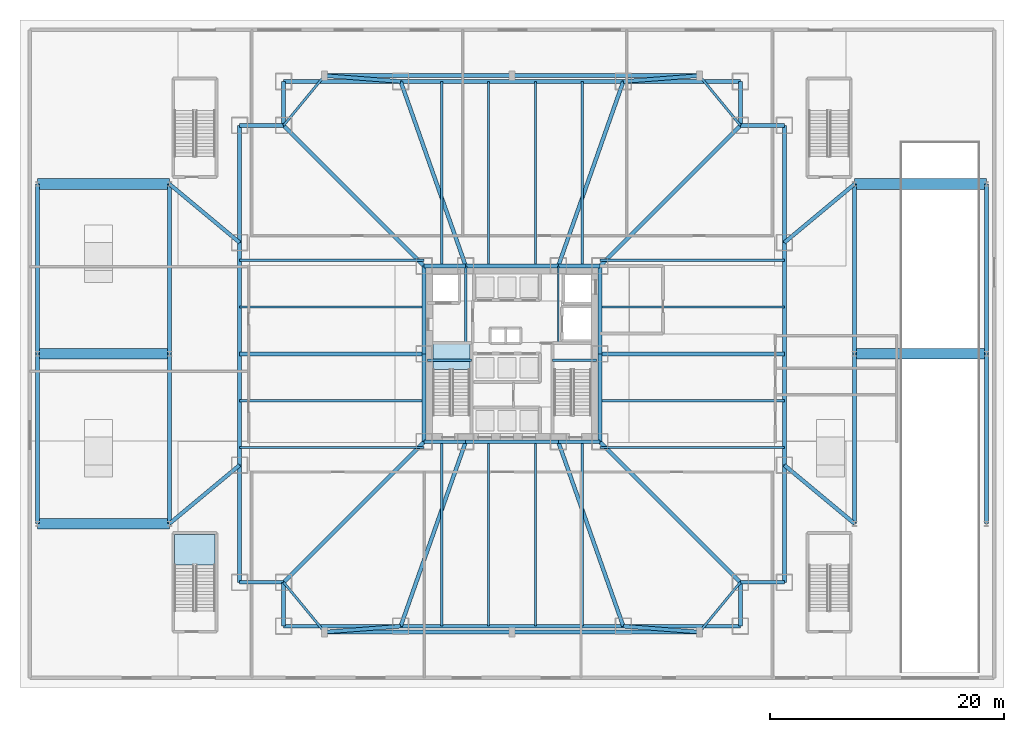
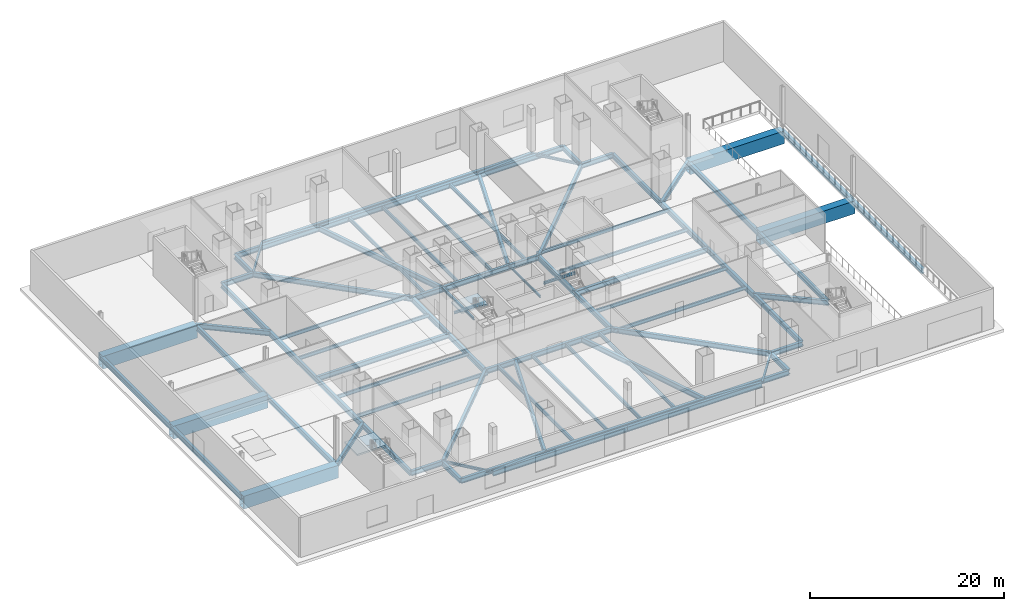
# One storey, part 4 of 24: 89 beams, 2 slabs, 2 elements without a shape of their own.
"""IFC4 building model written with IfcOpenShell, lengths in metres."""

from ifc_helpers import new_model, si_unit, direction, frame, origin, origin_2d, place, context, subcontext, project, spatial, polyline, hollow_rectangle, i_section, outline, extrude, material, layer, layer_set, material_profile, profile_set, type_object, element, aggregate, save


model = new_model("IFC4")

# Units and contexts
model_context = context("Model", 3, precision=1e-05, world=origin(), true_north=direction((0.0, 1.0)))
body_context = subcontext(model_context, "Body", "Model", "MODEL_VIEW")
ifc_project = project(units=[si_unit("LENGTHUNIT", "METRE"), si_unit("AREAUNIT", "SQUARE_METRE"), si_unit("VOLUMEUNIT", "CUBIC_METRE"), si_unit("PLANEANGLEUNIT", "RADIAN"), si_unit("MASSUNIT", "GRAM", prefix="KILO")], contexts=[model_context])

# Site, building, storey
site_placement = place(None, origin())
site = spatial("IfcSite", under=ifc_project, at=site_placement, CompositionType="ELEMENT")
building_placement = place(site_placement, origin())
building = spatial("IfcBuilding", under=site, at=building_placement, Name="Trevonay Congress Spire", CompositionType="ELEMENT")
storey_placement = place(building_placement, origin())
storey = spatial("IfcBuildingStorey", under=building, at=storey_placement, Name="L00", CompositionType="ELEMENT", Elevation=0.0)

# Beams
ifc_material_1 = material(Name="Steel ASTM A572 Grade 50", Category="steel")
ifc_material_profile_1 = material_profile(ifc_material_1, i_section(OverallWidth=0.324951171875, OverallDepth=0.615966796875, WebThickness=0.013916015625, FlangeThickness=0.021484375, FilletRadius=0.01806640625, at=origin_2d()), Name="W610x174")
ifc_profile_set_1 = profile_set([ifc_material_profile_1], Name="Steel ASTM A572 Grade 50")
beam_type_1 = type_object("IfcBeamType", Name="BM-GIRD-W610X174", PredefinedType="BEAM", material=ifc_profile_set_1)
for number, where, z_axis, x_axis, name in (
    (1, (-19.5, -23.25, -0.657958984375), (1.0, 0.0, 0.0), (0.0, 1.0, 0.0), "L00 structural beam BM-L00-MS1"),
    (2, (9.5, -23.25, -0.657958984375), (1.0, 0.0, 0.0), (0.0, 1.0, 0.0), "L00 structural beam BM-L00-MS3"),
):
    element("IfcBeam", number, at=place(storey_placement, frame(where, z_axis=z_axis, x_axis=x_axis)), inside=storey, type_object=beam_type_1, Name=name, PredefinedType="BEAM", context=body_context, shape_type="SweptSolid", body=[
        extrude(i_section(OverallWidth=0.324951171875, OverallDepth=0.615966796875, WebThickness=0.013916015625, FlangeThickness=0.021484375, FilletRadius=0.01806640625, at=origin_2d()), origin(), (0.0, 0.0, 1.0), 10.0),
    ])
for number, where, z_axis, x_axis, name in (
    (3, (-19.5, -23.25, -0.657958984375), (0.0, 1.0, 0.0), (-1.0, 0.0, 0.0), "L00 structural beam BM-L00-CSW"),
    (4, (19.5, -23.25, -0.657958984375), (0.0, 1.0, 0.0), (-1.0, 0.0, 0.0), "L00 structural beam BM-L00-CSE"),
):
    element("IfcBeam", number, at=place(storey_placement, frame(where, z_axis=z_axis, x_axis=x_axis)), inside=storey, type_object=beam_type_1, Name=name, PredefinedType="BEAM", context=body_context, shape_type="SweptSolid", body=[
        extrude(i_section(OverallWidth=0.324951171875, OverallDepth=0.615966796875, WebThickness=0.013916015625, FlangeThickness=0.021484375, FilletRadius=0.01806640625, at=origin_2d()), origin(), (0.0, 0.0, 1.0), 3.75),
    ])
for number, where, z_axis, x_axis, name in (
    (5, (-19.5, 23.25, -0.657958984375), (1.0, 0.0, 0.0), (0.0, 1.0, 0.0), "L00 structural beam BM-L00-MN1"),
    (6, (9.5, 23.25, -0.657958984375), (1.0, 0.0, 0.0), (0.0, 1.0, 0.0), "L00 structural beam BM-L00-MN3"),
):
    element("IfcBeam", number, at=place(storey_placement, frame(where, z_axis=z_axis, x_axis=x_axis)), inside=storey, type_object=beam_type_1, Name=name, PredefinedType="BEAM", context=body_context, shape_type="SweptSolid", body=[
        extrude(i_section(OverallWidth=0.324951171875, OverallDepth=0.615966796875, WebThickness=0.013916015625, FlangeThickness=0.021484375, FilletRadius=0.01806640625, at=origin_2d()), origin(), (0.0, 0.0, 1.0), 10.0),
    ])
for number, where, z_axis, x_axis, name in (
    (7, (-19.5, 23.25, -0.657958984375), (0.0, -1.0, 0.0), (1.0, 0.0, 0.0), "L00 structural beam BM-L00-CNW"),
    (8, (19.5, 23.25, -0.657958984375), (0.0, -1.0, 0.0), (1.0, 0.0, 0.0), "L00 structural beam BM-L00-CNE"),
):
    element("IfcBeam", number, at=place(storey_placement, frame(where, z_axis=z_axis, x_axis=x_axis)), inside=storey, type_object=beam_type_1, Name=name, PredefinedType="BEAM", context=body_context, shape_type="SweptSolid", body=[
        extrude(i_section(OverallWidth=0.324951171875, OverallDepth=0.615966796875, WebThickness=0.013916015625, FlangeThickness=0.021484375, FilletRadius=0.01806640625, at=origin_2d()), origin(), (0.0, 0.0, 1.0), 3.75),
    ])
for number, where, z_axis, x_axis, name in (
    (9, (-23.25, -19.5, -0.657958984375), (0.0, 1.0, 0.0), (-1.0, 0.0, 0.0), "L00 structural beam BM-L00-MW1"),
    (10, (-23.25, 9.5, -0.657958984375), (0.0, 1.0, 0.0), (-1.0, 0.0, 0.0), "L00 structural beam BM-L00-MW3"),
):
    element("IfcBeam", number, at=place(storey_placement, frame(where, z_axis=z_axis, x_axis=x_axis)), inside=storey, type_object=beam_type_1, Name=name, PredefinedType="BEAM", context=body_context, shape_type="SweptSolid", body=[
        extrude(i_section(OverallWidth=0.324951171875, OverallDepth=0.615966796875, WebThickness=0.013916015625, FlangeThickness=0.021484375, FilletRadius=0.01806640625, at=origin_2d()), origin(), (0.0, 0.0, 1.0), 10.0),
    ])
for number, where, z_axis, x_axis, name in (
    (11, (-23.25, -19.5, -0.657958984375), (1.0, 0.0, 0.0), (0.0, 1.0, 0.0), "L00 structural beam BM-L00-CWS"),
    (12, (-23.25, 19.5, -0.657958984375), (1.0, 0.0, 0.0), (0.0, 1.0, 0.0), "L00 structural beam BM-L00-CWN"),
):
    element("IfcBeam", number, at=place(storey_placement, frame(where, z_axis=z_axis, x_axis=x_axis)), inside=storey, type_object=beam_type_1, Name=name, PredefinedType="BEAM", context=body_context, shape_type="SweptSolid", body=[
        extrude(i_section(OverallWidth=0.324951171875, OverallDepth=0.615966796875, WebThickness=0.013916015625, FlangeThickness=0.021484375, FilletRadius=0.01806640625, at=origin_2d()), origin(), (0.0, 0.0, 1.0), 3.75),
    ])
for number, where, z_axis, x_axis, name in (
    (13, (23.25, -19.5, -0.657958984375), (0.0, 1.0, 0.0), (-1.0, 0.0, 0.0), "L00 structural beam BM-L00-ME1"),
    (14, (23.25, 9.5, -0.657958984375), (0.0, 1.0, 0.0), (-1.0, 0.0, 0.0), "L00 structural beam BM-L00-ME3"),
):
    element("IfcBeam", number, at=place(storey_placement, frame(where, z_axis=z_axis, x_axis=x_axis)), inside=storey, type_object=beam_type_1, Name=name, PredefinedType="BEAM", context=body_context, shape_type="SweptSolid", body=[
        extrude(i_section(OverallWidth=0.324951171875, OverallDepth=0.615966796875, WebThickness=0.013916015625, FlangeThickness=0.021484375, FilletRadius=0.01806640625, at=origin_2d()), origin(), (0.0, 0.0, 1.0), 10.0),
    ])
for number, where, z_axis, x_axis, name in (
    (15, (23.25, -19.5, -0.657958984375), (-1.0, 0.0, 0.0), (0.0, -1.0, 0.0), "L00 structural beam BM-L00-CES"),
    (16, (23.25, 19.5, -0.657958984375), (-1.0, 0.0, 0.0), (0.0, -1.0, 0.0), "L00 structural beam BM-L00-CEN"),
):
    element("IfcBeam", number, at=place(storey_placement, frame(where, z_axis=z_axis, x_axis=x_axis)), inside=storey, type_object=beam_type_1, Name=name, PredefinedType="BEAM", context=body_context, shape_type="SweptSolid", body=[
        extrude(i_section(OverallWidth=0.324951171875, OverallDepth=0.615966796875, WebThickness=0.013916015625, FlangeThickness=0.021484375, FilletRadius=0.01806640625, at=origin_2d()), origin(), (0.0, 0.0, 1.0), 3.75),
    ])
for number, where, z_axis, x_axis, name in (
    (17, (-7.5, -7.5, -0.657958984375), (-0.707106781187, -0.707106781187, 0.0), (0.707106781187, -0.707106781187, 0.0), "L00 structural beam BM-L00-RAD-SW"),
    (18, (7.5, -7.5, -0.657958984375), (0.707106781187, -0.707106781187, 0.0), (0.707106781187, 0.707106781187, 0.0), "L00 structural beam BM-L00-RAD-SE"),
    (19, (7.5, 7.5, -0.657958984375), (0.707106781187, 0.707106781187, 0.0), (-0.707106781187, 0.707106781187, 0.0), "L00 structural beam BM-L00-RAD-NE"),
    (20, (-7.5, 7.5, -0.657958984375), (-0.707106781187, 0.707106781187, 0.0), (-0.707106781187, -0.707106781187, 0.0), "L00 structural beam BM-L00-RAD-NW"),
):
    element("IfcBeam", number, at=place(storey_placement, frame(where, z_axis=z_axis, x_axis=x_axis)), inside=storey, type_object=beam_type_1, Name=name, PredefinedType="BEAM", context=body_context, shape_type="SweptSolid", body=[
        extrude(i_section(OverallWidth=0.324951171875, OverallDepth=0.615966796875, WebThickness=0.013916015625, FlangeThickness=0.021484375, FilletRadius=0.01806640625, at=origin_2d()), origin(), (0.0, 0.0, 1.0), 16.970458984375),
    ])
for number, where, z_axis, x_axis, name in (
    (21, (-7.5, 0.0, -0.657958984375), (-1.0, 0.0, 0.0), (0.0, -1.0, 0.0), "L00 structural beam BM-L00-RAD-WC"),
    (22, (7.5, 0.0, -0.657958984375), (1.0, 0.0, 0.0), (0.0, 1.0, 0.0), "L00 structural beam BM-L00-RAD-EC"),
):
    element("IfcBeam", number, at=place(storey_placement, frame(where, z_axis=z_axis, x_axis=x_axis)), inside=storey, type_object=beam_type_1, Name=name, PredefinedType="BEAM", context=body_context, shape_type="SweptSolid", body=[
        extrude(i_section(OverallWidth=0.324951171875, OverallDepth=0.615966796875, WebThickness=0.013916015625, FlangeThickness=0.021484375, FilletRadius=0.01806640625, at=origin_2d()), origin(), (0.0, 0.0, 1.0), 15.75),
    ])
for number, where, z_axis, x_axis, name in (
    (23, (-3.949951171875, -7.5, -0.657958984375), (-0.332352826786, -0.943155129619, 0.0), (0.943155129619, -0.332352826786, 0.0), "L00 structural beam BM-L00-RAD-S1"),
    (24, (3.949951171875, -7.5, -0.657958984375), (0.332352826786, -0.943155129619, 0.0), (0.943155129619, 0.332352826786, 0.0), "L00 structural beam BM-L00-RAD-S2"),
    (25, (-3.949951171875, 7.5, -0.657958984375), (-0.332352826786, 0.943155129619, 0.0), (-0.943155129619, -0.332352826786, 0.0), "L00 structural beam BM-L00-RAD-N1"),
    (26, (3.949951171875, 7.5, -0.657958984375), (0.332352826786, 0.943155129619, 0.0), (-0.943155129619, 0.332352826786, 0.0), "L00 structural beam BM-L00-RAD-N2"),
):
    element("IfcBeam", number, at=place(storey_placement, frame(where, z_axis=z_axis, x_axis=x_axis)), inside=storey, type_object=beam_type_1, Name=name, PredefinedType="BEAM", context=body_context, shape_type="SweptSolid", body=[
        extrude(i_section(OverallWidth=0.324951171875, OverallDepth=0.615966796875, WebThickness=0.013916015625, FlangeThickness=0.021484375, FilletRadius=0.01806640625, at=origin_2d()), origin(), (0.0, 0.0, 1.0), 16.69921875),
    ])
for number, where, z_axis, x_axis, name in (
    (27, (-29.25, -14.5, -0.657958984375), (0.0, 1.0, 0.0), (-1.0, 0.0, 0.0), "L00 structural beam BM-L00-POD-WL"),
    (28, (-29.25, 0.0, -0.657958984375), (0.0, 1.0, 0.0), (-1.0, 0.0, 0.0), "L00 structural beam BM-L00-POD-WH"),
    (29, (29.25, -14.5, -0.657958984375), (0.0, 1.0, 0.0), (-1.0, 0.0, 0.0), "L00 structural beam BM-L00-POD-EL"),
    (30, (29.25, 0.0, -0.657958984375), (0.0, 1.0, 0.0), (-1.0, 0.0, 0.0), "L00 structural beam BM-L00-POD-EH"),
):
    element("IfcBeam", number, at=place(storey_placement, frame(where, z_axis=z_axis, x_axis=x_axis)), inside=storey, type_object=beam_type_1, Name=name, PredefinedType="BEAM", context=body_context, shape_type="SweptSolid", body=[
        extrude(i_section(OverallWidth=0.324951171875, OverallDepth=0.615966796875, WebThickness=0.013916015625, FlangeThickness=0.021484375, FilletRadius=0.01806640625, at=origin_2d()), origin(), (0.0, 0.0, 1.0), 14.5),
    ])
for number, where, z_axis, x_axis, name in (
    (31, (-23.25, -9.5, -0.657958984375), (-0.768221279597, -0.640184399664, 0.0), (0.640184399664, -0.768221279597, 0.0), "L00 structural beam BM-L00-POD-WT1"),
    (32, (-23.25, 9.5, -0.657958984375), (-0.768221279597, 0.640184399664, 0.0), (-0.640184399664, -0.768221279597, 0.0), "L00 structural beam BM-L00-POD-WT2"),
    (33, (23.25, -9.5, -0.657958984375), (0.768221279597, -0.640184399664, 0.0), (0.640184399664, 0.768221279597, 0.0), "L00 structural beam BM-L00-POD-ET1"),
    (34, (23.25, 9.5, -0.657958984375), (0.768221279597, 0.640184399664, 0.0), (-0.640184399664, 0.768221279597, 0.0), "L00 structural beam BM-L00-POD-ET2"),
):
    element("IfcBeam", number, at=place(storey_placement, frame(where, z_axis=z_axis, x_axis=x_axis)), inside=storey, type_object=beam_type_1, Name=name, PredefinedType="BEAM", context=body_context, shape_type="SweptSolid", body=[
        extrude(i_section(OverallWidth=0.324951171875, OverallDepth=0.615966796875, WebThickness=0.013916015625, FlangeThickness=0.021484375, FilletRadius=0.01806640625, at=origin_2d()), origin(), (0.0, 0.0, 1.0), 7.810302734375),
    ])
for number, where, z_axis, x_axis, name in (
    (35, (-16.0, -23.75, -0.657958984375), (1.0, 0.0, 0.0), (0.0, 1.0, 0.0), "L00 structural beam BM-L00-PIL-S1"),
    (36, (0.0, -23.75, -0.657958984375), (1.0, 0.0, 0.0), (0.0, 1.0, 0.0), "L00 structural beam BM-L00-PIL-S2"),
    (37, (-16.0, 23.75, -0.657958984375), (1.0, 0.0, 0.0), (0.0, 1.0, 0.0), "L00 structural beam BM-L00-PIL-N1"),
    (38, (0.0, 23.75, -0.657958984375), (1.0, 0.0, 0.0), (0.0, 1.0, 0.0), "L00 structural beam BM-L00-PIL-N2"),
):
    element("IfcBeam", number, at=place(storey_placement, frame(where, z_axis=z_axis, x_axis=x_axis)), inside=storey, type_object=beam_type_1, Name=name, PredefinedType="BEAM", context=body_context, shape_type="SweptSolid", body=[
        extrude(i_section(OverallWidth=0.324951171875, OverallDepth=0.615966796875, WebThickness=0.013916015625, FlangeThickness=0.021484375, FilletRadius=0.01806640625, at=origin_2d()), origin(), (0.0, 0.0, 1.0), 16.0),
    ])
for number, where, z_axis, x_axis, name in (
    (39, (-9.5, -23.25, -0.657958984375), (-0.997054485502, -0.076696498885, 0.0), (0.076696498885, -0.997054485502, 0.0), "L00 structural beam BM-L00-PIL-TS1"),
    (40, (9.5, -23.25, -0.657958984375), (0.997054485502, -0.076696498885, 0.0), (0.076696498885, 0.997054485502, 0.0), "L00 structural beam BM-L00-PIL-TS2"),
    (41, (-9.5, 23.25, -0.657958984375), (-0.997054485502, 0.076696498885, 0.0), (-0.076696498885, -0.997054485502, 0.0), "L00 structural beam BM-L00-PIL-TN1"),
    (42, (9.5, 23.25, -0.657958984375), (0.997054485502, 0.076696498885, 0.0), (-0.076696498885, 0.997054485502, 0.0), "L00 structural beam BM-L00-PIL-TN2"),
):
    element("IfcBeam", number, at=place(storey_placement, frame(where, z_axis=z_axis, x_axis=x_axis)), inside=storey, type_object=beam_type_1, Name=name, PredefinedType="BEAM", context=body_context, shape_type="SweptSolid", body=[
        extrude(i_section(OverallWidth=0.324951171875, OverallDepth=0.615966796875, WebThickness=0.013916015625, FlangeThickness=0.021484375, FilletRadius=0.01806640625, at=origin_2d()), origin(), (0.0, 0.0, 1.0), 6.519287109375),
    ])
for number, where, z_axis, x_axis, name in (
    (43, (-40.5, -14.5, -0.657958984375), (0.0, 1.0, 0.0), (-1.0, 0.0, 0.0), "L00 structural beam BM-L00-EXWL1"),
    (44, (-40.5, 0.0, -0.657958984375), (0.0, 1.0, 0.0), (-1.0, 0.0, 0.0), "L00 structural beam BM-L00-EXWL2"),
    (45, (40.5, -14.5, -0.657958984375), (0.0, 1.0, 0.0), (-1.0, 0.0, 0.0), "L00 structural beam BM-L00-EXEL1"),
    (46, (40.5, 0.0, -0.657958984375), (0.0, 1.0, 0.0), (-1.0, 0.0, 0.0), "L00 structural beam BM-L00-EXEL2"),
):
    element("IfcBeam", number, at=place(storey_placement, frame(where, z_axis=z_axis, x_axis=x_axis)), inside=storey, type_object=beam_type_1, Name=name, PredefinedType="BEAM", context=body_context, shape_type="SweptSolid", body=[
        extrude(i_section(OverallWidth=0.324951171875, OverallDepth=0.615966796875, WebThickness=0.013916015625, FlangeThickness=0.021484375, FilletRadius=0.01806640625, at=origin_2d()), origin(), (0.0, 0.0, 1.0), 14.5),
    ])
ifc_material_profile_2 = material_profile(ifc_material_1, i_section(OverallWidth=0.3291015625, OverallDepth=0.635009765625, WebThickness=0.017822265625, FlangeThickness=0.031005859375, FilletRadius=0.01806640625, at=origin_2d()), Name="W610x241")
ifc_profile_set_2 = profile_set([ifc_material_profile_2], Name="Steel ASTM A572 Grade 50")
beam_type_2 = type_object("IfcBeamType", Name="BM-GIRD-W610X241", PredefinedType="BEAM", material=ifc_profile_set_2)
beam_1_placement = place(storey_placement, frame((-7.5, -7.5, -0.66748046875), z_axis=(1.0, 0.0, 0.0), x_axis=(0.0, 1.0, 0.0)))
element("IfcBeam", 47, at=beam_1_placement, inside=storey, type_object=beam_type_2, Name="L00 structural beam BM-L00-CR-S1", PredefinedType="BEAM", context=body_context, shape_type="SweptSolid", body=[
    extrude(i_section(OverallWidth=0.3291015625, OverallDepth=0.635009765625, WebThickness=0.017822265625, FlangeThickness=0.031005859375, FilletRadius=0.01806640625, at=origin_2d()), origin(), (0.0, 0.0, 1.0), 3.550048828125),
])
beam_2_placement = place(storey_placement, frame((-3.949951171875, -7.5, -0.66748046875), z_axis=(1.0, 0.0, 0.0), x_axis=(0.0, 1.0, 0.0)))
element("IfcBeam", 48, at=beam_2_placement, inside=storey, type_object=beam_type_2, Name="L00 structural beam BM-L00-CR-S2", PredefinedType="BEAM", context=body_context, shape_type="SweptSolid", body=[
    extrude(i_section(OverallWidth=0.3291015625, OverallDepth=0.635009765625, WebThickness=0.017822265625, FlangeThickness=0.031005859375, FilletRadius=0.01806640625, at=origin_2d()), origin(), (0.0, 0.0, 1.0), 7.89990234375),
])
for number, where, z_axis, x_axis, name in (
    (49, (3.949951171875, -7.5, -0.66748046875), (1.0, 0.0, 0.0), (0.0, 1.0, 0.0), "L00 structural beam BM-L00-CR-S3"),
    (50, (-7.5, 7.5, -0.66748046875), (1.0, 0.0, 0.0), (0.0, 1.0, 0.0), "L00 structural beam BM-L00-CR-N1"),
):
    element("IfcBeam", number, at=place(storey_placement, frame(where, z_axis=z_axis, x_axis=x_axis)), inside=storey, type_object=beam_type_2, Name=name, PredefinedType="BEAM", context=body_context, shape_type="SweptSolid", body=[
        extrude(i_section(OverallWidth=0.3291015625, OverallDepth=0.635009765625, WebThickness=0.017822265625, FlangeThickness=0.031005859375, FilletRadius=0.01806640625, at=origin_2d()), origin(), (0.0, 0.0, 1.0), 3.550048828125),
    ])
beam_3_placement = place(storey_placement, frame((-3.949951171875, 7.5, -0.66748046875), z_axis=(1.0, 0.0, 0.0), x_axis=(0.0, 1.0, 0.0)))
element("IfcBeam", 51, at=beam_3_placement, inside=storey, type_object=beam_type_2, Name="L00 structural beam BM-L00-CR-N2", PredefinedType="BEAM", context=body_context, shape_type="SweptSolid", body=[
    extrude(i_section(OverallWidth=0.3291015625, OverallDepth=0.635009765625, WebThickness=0.017822265625, FlangeThickness=0.031005859375, FilletRadius=0.01806640625, at=origin_2d()), origin(), (0.0, 0.0, 1.0), 7.89990234375),
])
beam_4_placement = place(storey_placement, frame((3.949951171875, 7.5, -0.66748046875), z_axis=(1.0, 0.0, 0.0), x_axis=(0.0, 1.0, 0.0)))
element("IfcBeam", 52, at=beam_4_placement, inside=storey, type_object=beam_type_2, Name="L00 structural beam BM-L00-CR-N3", PredefinedType="BEAM", context=body_context, shape_type="SweptSolid", body=[
    extrude(i_section(OverallWidth=0.3291015625, OverallDepth=0.635009765625, WebThickness=0.017822265625, FlangeThickness=0.031005859375, FilletRadius=0.01806640625, at=origin_2d()), origin(), (0.0, 0.0, 1.0), 3.550048828125),
])
for number, where, z_axis, x_axis, name in (
    (53, (-7.5, -7.5, -0.66748046875), (0.0, 1.0, 0.0), (-1.0, 0.0, 0.0), "L00 structural beam BM-L00-CR-W1"),
    (54, (-7.5, 0.0, -0.66748046875), (0.0, 1.0, 0.0), (-1.0, 0.0, 0.0), "L00 structural beam BM-L00-CR-W2"),
    (55, (7.5, -7.5, -0.66748046875), (0.0, 1.0, 0.0), (-1.0, 0.0, 0.0), "L00 structural beam BM-L00-CR-E1"),
    (56, (7.5, 0.0, -0.66748046875), (0.0, 1.0, 0.0), (-1.0, 0.0, 0.0), "L00 structural beam BM-L00-CR-E2"),
):
    element("IfcBeam", number, at=place(storey_placement, frame(where, z_axis=z_axis, x_axis=x_axis)), inside=storey, type_object=beam_type_2, Name=name, PredefinedType="BEAM", context=body_context, shape_type="SweptSolid", body=[
        extrude(i_section(OverallWidth=0.3291015625, OverallDepth=0.635009765625, WebThickness=0.017822265625, FlangeThickness=0.031005859375, FilletRadius=0.01806640625, at=origin_2d()), origin(), (0.0, 0.0, 1.0), 7.5),
    ])
for number, where, z_axis, x_axis, name in (
    (57, (-9.5, -23.25, -0.66748046875), (1.0, 0.0, 0.0), (0.0, 1.0, 0.0), "L00 structural beam BM-L00-MS2"),
    (58, (-9.5, 23.25, -0.66748046875), (1.0, 0.0, 0.0), (0.0, 1.0, 0.0), "L00 structural beam BM-L00-MN2"),
    (59, (-23.25, -9.5, -0.66748046875), (0.0, 1.0, 0.0), (-1.0, 0.0, 0.0), "L00 structural beam BM-L00-MW2"),
    (60, (23.25, -9.5, -0.66748046875), (0.0, 1.0, 0.0), (-1.0, 0.0, 0.0), "L00 structural beam BM-L00-ME2"),
):
    element("IfcBeam", number, at=place(storey_placement, frame(where, z_axis=z_axis, x_axis=x_axis)), inside=storey, type_object=beam_type_2, Name=name, PredefinedType="BEAM", context=body_context, shape_type="SweptSolid", body=[
        extrude(i_section(OverallWidth=0.3291015625, OverallDepth=0.635009765625, WebThickness=0.017822265625, FlangeThickness=0.031005859375, FilletRadius=0.01806640625, at=origin_2d()), origin(), (0.0, 0.0, 1.0), 19.0),
    ])
ifc_material_profile_3 = material_profile(ifc_material_1, hollow_rectangle(XDim=0.89990234375, YDim=1.60009765625, WallThickness=0.06005859375, at=origin_2d()), Name="BOX 1600x900x60")
ifc_profile_set_3 = profile_set([ifc_material_profile_3], Name="Steel ASTM A572 Grade 50")
beam_type_3 = type_object("IfcBeamType", Name="BM-XFER-BOX1600", PredefinedType="BEAM", material=ifc_profile_set_3)
for number, where, z_axis, x_axis, name in (
    (61, (-29.25, -14.5, -1.14990234375), (-1.0, 0.0, 0.0), (0.0, -1.0, 0.0), "L00 structural beam BM-L00-EXW-S"),
    (62, (-29.25, 0.0, -1.14990234375), (-1.0, 0.0, 0.0), (0.0, -1.0, 0.0), "L00 structural beam BM-L00-EXW-C"),
    (63, (29.25, 0.0, -1.14990234375), (1.0, 0.0, 0.0), (0.0, 1.0, 0.0), "L00 structural beam BM-L00-EXE-C"),
    (64, (-29.25, 14.5, -1.14990234375), (-1.0, 0.0, 0.0), (0.0, -1.0, 0.0), "L00 structural beam BM-L00-EXW-N"),
    (65, (29.25, 14.5, -1.14990234375), (1.0, 0.0, 0.0), (0.0, 1.0, 0.0), "L00 structural beam BM-L00-EXE-N"),
):
    element("IfcBeam", number, at=place(storey_placement, frame(where, z_axis=z_axis, x_axis=x_axis)), inside=storey, type_object=beam_type_3, Name=name, PredefinedType="BEAM", context=body_context, shape_type="SweptSolid", body=[
        extrude(hollow_rectangle(XDim=0.89990234375, YDim=1.60009765625, WallThickness=0.06005859375, at=origin_2d()), origin(), (0.0, 0.0, 1.0), 11.25),
    ])
ifc_material_profile_4 = material_profile(ifc_material_1, i_section(OverallWidth=0.18994140625, OverallDepth=0.45703125, WebThickness=0.009033203125, FlangeThickness=0.014404296875, FilletRadius=0.013916015625, at=origin_2d()), Name="W460x74")
ifc_profile_set_4 = profile_set([ifc_material_profile_4], Name="Steel ASTM A572 Grade 50")
beam_type_4 = type_object("IfcBeamType", Name="JS-COMP-W460X74", PredefinedType="JOIST", material=ifc_profile_set_4)
for number, where, z_axis, x_axis, name in (
    (66, (-23.25, -8.0, -0.57861328125), (1.0, 0.0, 0.0), (0.0, 1.0, 0.0), "L00 structural beam JS-L00-WH1"),
    (67, (7.5, -8.0, -0.57861328125), (1.0, 0.0, 0.0), (0.0, 1.0, 0.0), "L00 structural beam JS-L00-EH1"),
    (68, (-23.25, -4.0, -0.57861328125), (1.0, 0.0, 0.0), (0.0, 1.0, 0.0), "L00 structural beam JS-L00-WH2"),
    (69, (7.5, -4.0, -0.57861328125), (1.0, 0.0, 0.0), (0.0, 1.0, 0.0), "L00 structural beam JS-L00-EH2"),
    (70, (-23.25, 4.0, -0.57861328125), (1.0, 0.0, 0.0), (0.0, 1.0, 0.0), "L00 structural beam JS-L00-WH3"),
    (71, (7.5, 4.0, -0.57861328125), (1.0, 0.0, 0.0), (0.0, 1.0, 0.0), "L00 structural beam JS-L00-EH3"),
    (72, (-23.25, 8.0, -0.57861328125), (1.0, 0.0, 0.0), (0.0, 1.0, 0.0), "L00 structural beam JS-L00-WH4"),
    (73, (7.5, 8.0, -0.57861328125), (1.0, 0.0, 0.0), (0.0, 1.0, 0.0), "L00 structural beam JS-L00-EH4"),
    (74, (-6.0, -23.25, -0.57861328125), (0.0, 1.0, 0.0), (-1.0, 0.0, 0.0), "L00 structural beam JS-L00-SH1"),
    (75, (-6.0, 7.5, -0.57861328125), (0.0, 1.0, 0.0), (-1.0, 0.0, 0.0), "L00 structural beam JS-L00-NH1"),
    (76, (-2.0, -23.25, -0.57861328125), (0.0, 1.0, 0.0), (-1.0, 0.0, 0.0), "L00 structural beam JS-L00-SH2"),
    (77, (-2.0, 7.5, -0.57861328125), (0.0, 1.0, 0.0), (-1.0, 0.0, 0.0), "L00 structural beam JS-L00-NH2"),
    (78, (2.0, -23.25, -0.57861328125), (0.0, 1.0, 0.0), (-1.0, 0.0, 0.0), "L00 structural beam JS-L00-SH3"),
    (79, (2.0, 7.5, -0.57861328125), (0.0, 1.0, 0.0), (-1.0, 0.0, 0.0), "L00 structural beam JS-L00-NH3"),
    (80, (6.0, -23.25, -0.57861328125), (0.0, 1.0, 0.0), (-1.0, 0.0, 0.0), "L00 structural beam JS-L00-SH4"),
    (81, (6.0, 7.5, -0.57861328125), (0.0, 1.0, 0.0), (-1.0, 0.0, 0.0), "L00 structural beam JS-L00-NH4"),
):
    element("IfcBeam", number, at=place(storey_placement, frame(where, z_axis=z_axis, x_axis=x_axis)), inside=storey, type_object=beam_type_4, Name=name, PredefinedType="JOIST", context=body_context, shape_type="SweptSolid", body=[
        extrude(i_section(OverallWidth=0.18994140625, OverallDepth=0.45703125, WebThickness=0.009033203125, FlangeThickness=0.014404296875, FilletRadius=0.013916015625, at=origin_2d()), origin(), (0.0, 0.0, 1.0), 15.75),
    ])
ifc_material_profile_5 = material_profile(ifc_material_1, i_section(OverallWidth=0.2041015625, OverallDepth=0.305908203125, WebThickness=0.008544921875, FlangeThickness=0.0146484375, FilletRadius=0.010986328125, at=origin_2d()), Name="W310x67")
ifc_profile_set_5 = profile_set([ifc_material_profile_5], Name="Steel ASTM A572 Grade 50")
beam_type_5 = type_object("IfcBeamType", Name="LN-CORE-W310X67", PredefinedType="LINTEL", material=ifc_profile_set_5)
beam_5_placement = place(storey_placement, frame((-3.949951171875, 1.0, -0.5029296875), z_axis=(0.0, 1.0, 0.0), x_axis=(-1.0, 0.0, 0.0)))
element("IfcBeam", 82, at=beam_5_placement, inside=storey, type_object=beam_type_5, Name="L00 structural beam LIN-L00-W", PredefinedType="LINTEL", context=body_context, shape_type="SweptSolid", body=[
    extrude(i_section(OverallWidth=0.2041015625, OverallDepth=0.305908203125, WebThickness=0.008544921875, FlangeThickness=0.0146484375, FilletRadius=0.010986328125, at=origin_2d()), origin(), (0.0, 0.0, 1.0), 6.5),
])
for number, where, z_axis, x_axis, name in (
    (83, (-7.199951171875, -0.550048828125, 2.346923828125), (1.0, 0.0, 0.0), (0.0, 1.0, 0.0), "L00 structural beam BM-L00-HL-ST1"),
    (84, (3.449951171875, -0.550048828125, 2.346923828125), (1.0, 0.0, 0.0), (0.0, 1.0, 0.0), "L00 structural beam BM-L00-HL-ST2"),
):
    element("IfcBeam", number, at=place(storey_placement, frame(where, z_axis=z_axis, x_axis=x_axis)), inside=storey, type_object=beam_type_5, Name=name, PredefinedType="LINTEL", context=body_context, shape_type="SweptSolid", body=[
        extrude(i_section(OverallWidth=0.2041015625, OverallDepth=0.305908203125, WebThickness=0.008544921875, FlangeThickness=0.0146484375, FilletRadius=0.010986328125, at=origin_2d()), origin(), (0.0, 0.0, 1.0), 3.75),
    ])
ifc_material_profile_6 = material_profile(ifc_material_1, i_section(OverallWidth=0.14794921875, OverallDepth=0.26611328125, WebThickness=0.007568359375, FlangeThickness=0.012939453125, FilletRadius=0.010009765625, at=origin_2d()), Name="W250x44.8")
ifc_profile_set_6 = profile_set([ifc_material_profile_6], Name="Steel ASTM A572 Grade 50")
beam_type_6 = type_object("IfcBeamType", Name="LN-DOOR-W250X45", PredefinedType="LINTEL", material=ifc_profile_set_6)
beam_6_placement = place(storey_placement, frame((3.949951171875, 1.0, -0.48291015625), z_axis=(0.0, 1.0, 0.0), x_axis=(-1.0, 0.0, 0.0)))
element("IfcBeam", 85, at=beam_6_placement, inside=storey, type_object=beam_type_6, Name="L00 structural beam LIN-L00-E", PredefinedType="LINTEL", context=body_context, shape_type="SweptSolid", body=[
    extrude(i_section(OverallWidth=0.14794921875, OverallDepth=0.26611328125, WebThickness=0.007568359375, FlangeThickness=0.012939453125, FilletRadius=0.010009765625, at=origin_2d()), origin(), (0.0, 0.0, 1.0), 6.5),
])
ifc_material_profile_7 = material_profile(ifc_material_1, i_section(OverallWidth=0.2041015625, OverallDepth=0.305908203125, WebThickness=0.008544921875, FlangeThickness=0.0146484375, FilletRadius=0.010986328125, at=origin_2d()), Name="W310x67")
ifc_profile_set_7 = profile_set([ifc_material_profile_7], Name="Steel ASTM A572 Grade 50")
beam_type_7 = type_object("IfcBeamType", Name="SPB-W310X67", PredefinedType="SPANDREL", material=ifc_profile_set_7)
for number, where, z_axis, x_axis, name in (
    (86, (-16.0, -23.75, -0.5029296875), (-0.635707252861, 0.771930235617, 0.0), (-0.771930235617, -0.635707252861, 0.0), "L00 structural beam SPB-L00-SW"),
    (87, (16.0, -23.75, -0.5029296875), (0.635707252861, 0.771930235617, 0.0), (-0.771930235617, 0.635707252861, 0.0), "L00 structural beam SPB-L00-SE"),
    (88, (-16.0, 23.75, -0.5029296875), (-0.635707252861, -0.771930235617, 0.0), (0.771930235617, -0.635707252861, 0.0), "L00 structural beam SPB-L00-NW"),
    (89, (16.0, 23.75, -0.5029296875), (0.635707252861, -0.771930235617, 0.0), (0.771930235617, 0.635707252861, 0.0), "L00 structural beam SPB-L00-NE"),
):
    element("IfcBeam", number, at=place(storey_placement, frame(where, z_axis=z_axis, x_axis=x_axis)), inside=storey, type_object=beam_type_7, Name=name, PredefinedType="SPANDREL", context=body_context, shape_type="SweptSolid", body=[
        extrude(i_section(OverallWidth=0.2041015625, OverallDepth=0.305908203125, WebThickness=0.008544921875, FlangeThickness=0.0146484375, FilletRadius=0.010986328125, at=origin_2d()), origin(), (0.0, 0.0, 1.0), 5.505615234375),
    ])

# Stair, slab
ifc_material_2 = material(Name="Concrete C40/50", Category="concrete")
stair_type_1 = type_object("IfcStairType", Name="STR-ST-1", PredefinedType="HALF_TURN_STAIR", material=ifc_material_2)
stair_1_placement = place(storey_placement, origin())
stair_1 = element("IfcStair", 90, at=stair_1_placement, inside=storey, type_object=stair_type_1, Name="L00 Protected Exit Stair ST-1", PredefinedType="HALF_TURN_STAIR")
ifc_layer = layer(ifc_material_2, 0.199951171875, Name="Concrete C40/50")
ifc_layer_set = layer_set([ifc_layer], Name="Concrete C40/50")
slab_type = type_object("IfcSlabType", Name="SLB-STAIR-LAND-200", PredefinedType="LANDING", material=ifc_layer_set)
slab_1_placement = place(storey_placement, frame((0.0, 0.0, 2.5)))
slab_1 = element("IfcSlab", 91, at=slab_1_placement, type_object=slab_type, Name="ST-1 landing 1", PredefinedType="LANDING", context=body_context, shape_type="SweptSolid", body=[
    extrude(outline(polyline([(-3.60009765625, -1.330078125), (-3.60009765625, 0.85009765625), (-6.75, 0.85009765625), (-6.75, -1.330078125), (-3.60009765625, -1.330078125)])), origin(), (0.0, 0.0, 1.0), 0.199951171875),
])
aggregate(stair_1, [slab_1])

stair_type_2 = type_object("IfcStairType", Name="STR-ST-3", PredefinedType="HALF_TURN_STAIR", material=ifc_material_2)
stair_2_placement = place(storey_placement, origin())
stair_2 = element("IfcStair", 92, at=stair_2_placement, inside=storey, type_object=stair_type_2, Name="L00 Protected Exit Stair ST-3", PredefinedType="HALF_TURN_STAIR")
slab_2_placement = place(storey_placement, frame((0.0, 0.0, 2.5)))
slab_2 = element("IfcSlab", 93, at=slab_2_placement, type_object=slab_type, Name="ST-3 landing 1", PredefinedType="LANDING", context=body_context, shape_type="SweptSolid", body=[
    extrude(outline(polyline([(-25.35009765625, -18.030029296875), (-25.35009765625, -15.39990234375), (-28.800048828125, -15.39990234375), (-28.800048828125, -18.030029296875), (-25.35009765625, -18.030029296875)])), origin(), (0.0, 0.0, 1.0), 0.199951171875),
])
aggregate(stair_2, [slab_2])

save(model, "model.ifc")
